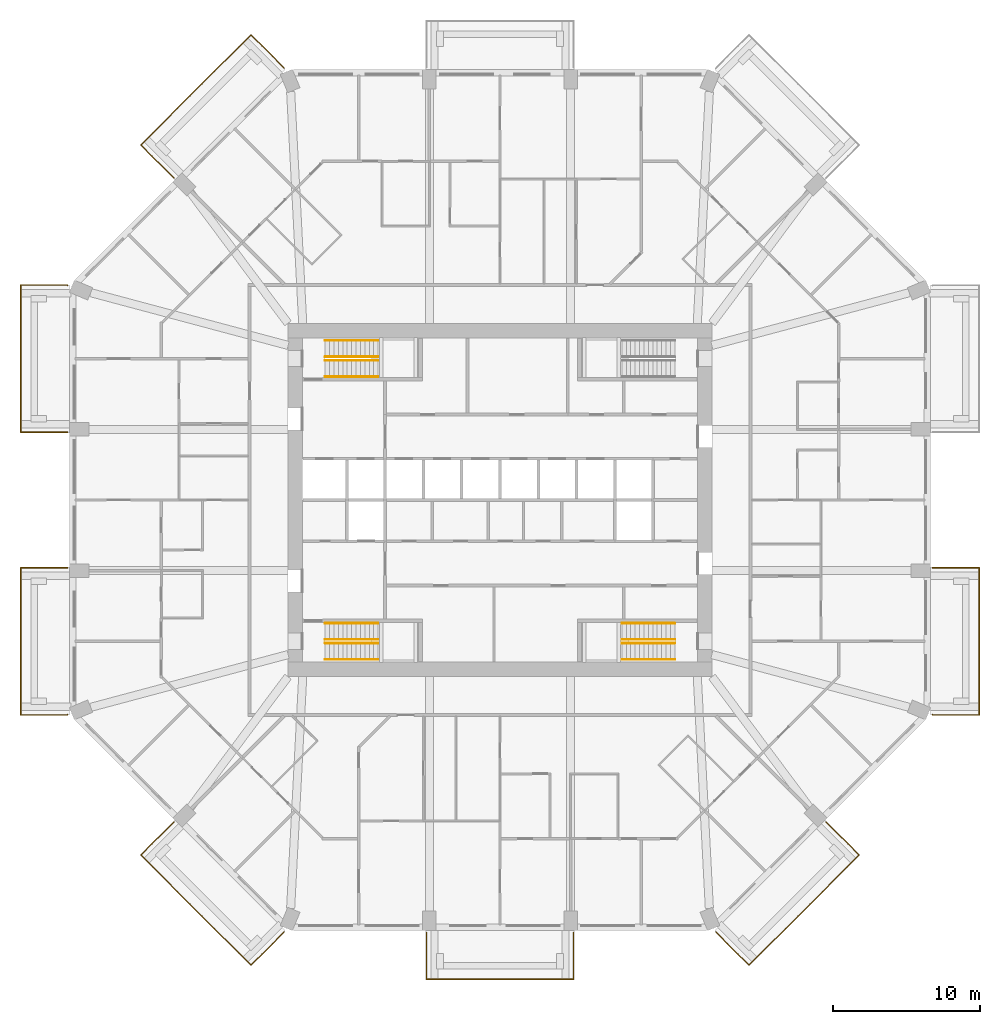
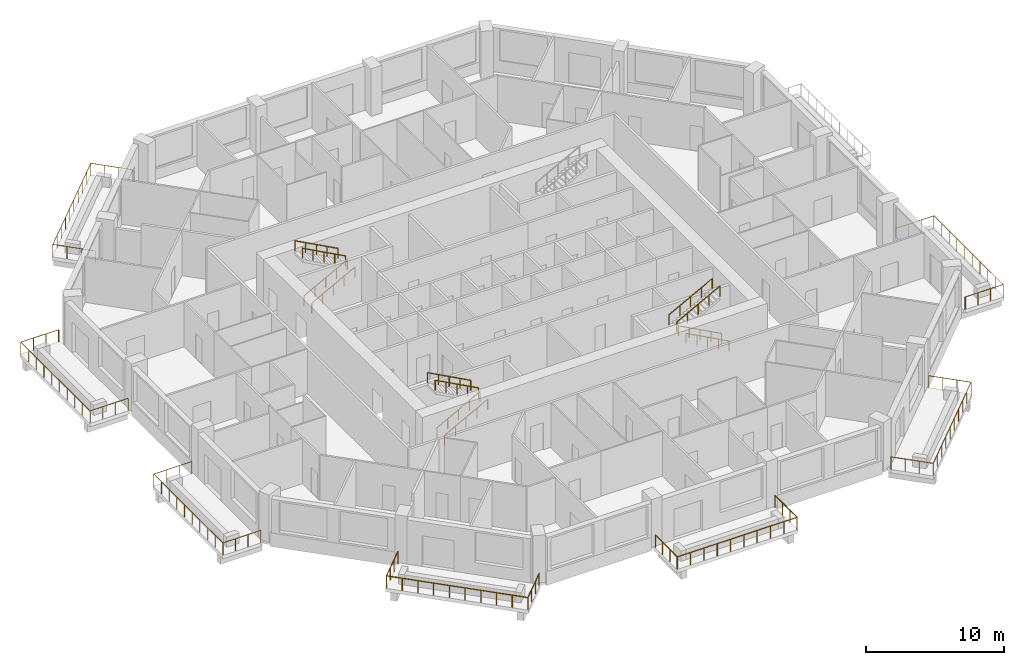
# One storey, part 12 of 13: 19 railings.
"""IFC4 building model written with IfcOpenShell, lengths in metres."""

from ifc_helpers import new_model, si_unit, direction, frame, origin, origin_2d, place, context, subcontext, project, spatial, circle, extrude, material, constituent, constituent_set, type_object, element, save


model = new_model("IFC4")

# Units and contexts
model_context = context("Model", 3, precision=1e-05, world=origin(), true_north=direction((0.0, 1.0)))
body_context = subcontext(model_context, "Body", "Model", "MODEL_VIEW")
ifc_project = project(units=[si_unit("LENGTHUNIT", "METRE"), si_unit("AREAUNIT", "SQUARE_METRE"), si_unit("VOLUMEUNIT", "CUBIC_METRE"), si_unit("PLANEANGLEUNIT", "RADIAN"), si_unit("MASSUNIT", "GRAM", prefix="KILO")], contexts=[model_context])

# Site, building, storey
site_placement = place(None, origin())
site = spatial("IfcSite", under=ifc_project, at=site_placement, CompositionType="ELEMENT")
building_placement = place(site_placement, origin())
building = spatial("IfcBuilding", under=site, at=building_placement, Name="Msitu Wima Residences", CompositionType="ELEMENT")
storey_placement = place(building_placement, frame((0.0, 0.0, 33.89990234375)))
storey = spatial("IfcBuildingStorey", under=building, at=storey_placement, Name="L07", CompositionType="ELEMENT", Elevation=33.89990234375)

# Railings
ifc_material_1 = material(Name="Steel S355", Category="steel")
ifc_constituent_1 = constituent(ifc_material_1, Name="Steel S355")
ifc_material_2 = material(Name="Weathering patina")
ifc_constituent_2 = constituent(ifc_material_2, Name="Weathering patina")
ifc_constituent_set_1 = constituent_set(constituents=[ifc_constituent_1, ifc_constituent_2], Name="Steel S355")
railing_type_1 = type_object("IfcRailingType", Name="Balcony guard GR1100", PredefinedType="GUARDRAIL", material=ifc_constituent_set_1)
railing_1_placement = place(storey_placement, frame((29.3798828125, -4.60009765625, 0.0)))
element("IfcRailing", 1, at=railing_1_placement, inside=storey, type_object=railing_type_1, Name="Balcony guard E0 L07", PredefinedType="GUARDRAIL", context=body_context, shape_type="SweptSolid", body=[
    extrude(circle(Radius=0.02392578125, at=origin_2d()), frame((0.0, 0.0, 1.076171875), z_axis=(1.0, 0.0, 0.0), x_axis=(0.0, 1.0, 0.0)), (0.0, 0.0, 1.0), 3.170166015625),
    extrude(circle(Radius=0.02392578125, at=origin_2d()), frame((3.170166015625, 0.0, 1.076171875), z_axis=(0.0, -1.0, 0.0), x_axis=(1.0, 0.0, 0.0)), (0.0, 0.0, 1.0), 10.0),
    extrude(circle(Radius=0.02392578125, at=origin_2d()), frame((3.170166015625, -10.0, 1.076171875), z_axis=(-1.0, 0.0, 0.0), x_axis=(0.0, -1.0, 0.0)), (0.0, 0.0, 1.0), 3.136474609375),
    extrude(circle(Radius=0.02392578125, at=origin_2d()), frame((0.03369140625, -10.0, 1.076171875), z_axis=(-0.92426142649, 0.38176015442, 0.0), x_axis=(-0.38176015442, -0.92426142649, 0.0)), (0.0, 0.0, 1.0), 0.036376953125),
    extrude(circle(Radius=0.02099609375, at=origin_2d()), origin(), (0.0, 0.0, 1.0), 1.052001953125),
    extrude(circle(Radius=0.02099609375, at=origin_2d()), frame((1.056640625, 0.0, 0.0)), (0.0, 0.0, 1.0), 1.052001953125),
    extrude(circle(Radius=0.02099609375, at=origin_2d()), frame((2.113525390625, 0.0, 0.0)), (0.0, 0.0, 1.0), 1.052001953125),
    extrude(circle(Radius=0.02099609375, at=origin_2d()), frame((3.170166015625, 0.0, 0.0)), (0.0, 0.0, 1.0), 1.052001953125),
    extrude(circle(Radius=0.02099609375, at=origin_2d()), frame((3.170166015625, -1.111083984375, 0.0)), (0.0, 0.0, 1.0), 1.052001953125),
    extrude(circle(Radius=0.02099609375, at=origin_2d()), frame((3.170166015625, -2.22216796875, 0.0)), (0.0, 0.0, 1.0), 1.052001953125),
    extrude(circle(Radius=0.02099609375, at=origin_2d()), frame((3.170166015625, -3.333251953125, 0.0)), (0.0, 0.0, 1.0), 1.052001953125),
    extrude(circle(Radius=0.02099609375, at=origin_2d()), frame((3.170166015625, -4.4443359375, 0.0)), (0.0, 0.0, 1.0), 1.052001953125),
    extrude(circle(Radius=0.02099609375, at=origin_2d()), frame((3.170166015625, -5.5556640625, 0.0)), (0.0, 0.0, 1.0), 1.052001953125),
    extrude(circle(Radius=0.02099609375, at=origin_2d()), frame((3.170166015625, -6.666748046875, 0.0)), (0.0, 0.0, 1.0), 1.052001953125),
    extrude(circle(Radius=0.02099609375, at=origin_2d()), frame((3.170166015625, -7.77783203125, 0.0)), (0.0, 0.0, 1.0), 1.052001953125),
    extrude(circle(Radius=0.02099609375, at=origin_2d()), frame((3.170166015625, -8.888916015625, 0.0)), (0.0, 0.0, 1.0), 1.052001953125),
    extrude(circle(Radius=0.02099609375, at=origin_2d()), frame((3.170166015625, -10.0, 0.0)), (0.0, 0.0, 1.0), 1.052001953125),
    extrude(circle(Radius=0.02099609375, at=origin_2d()), frame((2.124755859375, -10.0, 0.0)), (0.0, 0.0, 1.0), 1.052001953125),
    extrude(circle(Radius=0.02099609375, at=origin_2d()), frame((1.0791015625, -10.0, 0.0)), (0.0, 0.0, 1.0), 1.052001953125),
    extrude(circle(Radius=0.02099609375, at=origin_2d()), frame((0.03369140625, -10.0, 0.0)), (0.0, 0.0, 1.0), 1.052001953125),
    extrude(circle(Radius=0.02099609375, at=origin_2d()), frame((0.0, -9.986083984375, 0.0)), (0.0, 0.0, 1.0), 1.052001953125),
])
railing_2_placement = place(storey_placement, frame((-22.151611328125, 21.86865234375, 0.0)))
element("IfcRailing", 2, at=railing_2_placement, inside=storey, type_object=railing_type_1, Name="Balcony guard NW0 L07", PredefinedType="GUARDRAIL", context=body_context, shape_type="SweptSolid", body=[
    extrude(circle(Radius=0.02392578125, at=origin_2d()), frame((0.0, 0.0, 1.076171875), z_axis=(-0.707068272989, 0.707145287287, 0.0), x_axis=(-0.707145287287, -0.707068272989, 0.0)), (0.0, 0.0, 1.0), 3.170166015625),
    extrude(circle(Radius=0.02392578125, at=origin_2d()), frame((-2.241455078125, 2.24169921875, 1.076171875), z_axis=(0.707118316465, 0.70709524572, 0.0), x_axis=(-0.70709524572, 0.707118316465, 0.0)), (0.0, 0.0, 1.0), 10.582275390625),
    extrude(circle(Radius=0.02392578125, at=origin_2d()), frame((5.241455078125, 9.724365234375, 1.076171875), z_axis=(0.707106781187, -0.707106781187, 0.0), x_axis=(0.707106781187, 0.707106781187, 0.0)), (0.0, 0.0, 1.0), 3.136474609375),
    extrude(circle(Radius=0.02392578125, at=origin_2d()), frame((7.459228515625, 7.506591796875, 1.076171875), z_axis=(0.384136806859, -0.923276184907, 0.0), x_axis=(0.923276184907, 0.384136806859, 0.0)), (0.0, 0.0, 1.0), 0.0361328125),
    extrude(circle(Radius=0.02099609375, at=origin_2d()), origin(), (0.0, 0.0, 1.0), 1.052001953125),
    extrude(circle(Radius=0.02099609375, at=origin_2d()), frame((-0.7470703125, 0.747314453125, 0.0)), (0.0, 0.0, 1.0), 1.052001953125),
    extrude(circle(Radius=0.02099609375, at=origin_2d()), frame((-1.494384765625, 1.494384765625, 0.0)), (0.0, 0.0, 1.0), 1.052001953125),
    extrude(circle(Radius=0.02099609375, at=origin_2d()), frame((-2.241455078125, 2.24169921875, 0.0)), (0.0, 0.0, 1.0), 1.052001953125),
    extrude(circle(Radius=0.02099609375, at=origin_2d()), frame((-1.409912109375, 3.072998046875, 0.0)), (0.0, 0.0, 1.0), 1.052001953125),
    extrude(circle(Radius=0.02099609375, at=origin_2d()), frame((-0.57861328125, 3.904541015625, 0.0)), (0.0, 0.0, 1.0), 1.052001953125),
    extrude(circle(Radius=0.02099609375, at=origin_2d()), frame((0.2529296875, 4.73583984375, 0.0)), (0.0, 0.0, 1.0), 1.052001953125),
    extrude(circle(Radius=0.02099609375, at=origin_2d()), frame((1.084228515625, 5.5673828125, 0.0)), (0.0, 0.0, 1.0), 1.052001953125),
    extrude(circle(Radius=0.02099609375, at=origin_2d()), frame((1.915771484375, 6.398681640625, 0.0)), (0.0, 0.0, 1.0), 1.052001953125),
    extrude(circle(Radius=0.02099609375, at=origin_2d()), frame((2.7470703125, 7.230224609375, 0.0)), (0.0, 0.0, 1.0), 1.052001953125),
    extrude(circle(Radius=0.02099609375, at=origin_2d()), frame((3.57861328125, 8.0615234375, 0.0)), (0.0, 0.0, 1.0), 1.052001953125),
    extrude(circle(Radius=0.02099609375, at=origin_2d()), frame((4.409912109375, 8.89306640625, 0.0)), (0.0, 0.0, 1.0), 1.052001953125),
    extrude(circle(Radius=0.02099609375, at=origin_2d()), frame((5.241455078125, 9.724365234375, 0.0)), (0.0, 0.0, 1.0), 1.052001953125),
    extrude(circle(Radius=0.02099609375, at=origin_2d()), frame((5.980712890625, 8.985107421875, 0.0)), (0.0, 0.0, 1.0), 1.052001953125),
    extrude(circle(Radius=0.02099609375, at=origin_2d()), frame((6.719970703125, 8.245849609375, 0.0)), (0.0, 0.0, 1.0), 1.052001953125),
    extrude(circle(Radius=0.02099609375, at=origin_2d()), frame((7.459228515625, 7.506591796875, 0.0)), (0.0, 0.0, 1.0), 1.052001953125),
    extrude(circle(Radius=0.02099609375, at=origin_2d()), frame((7.47314453125, 7.47314453125, 0.0)), (0.0, 0.0, 1.0), 1.052001953125),
])
railing_3_placement = place(storey_placement, frame((-29.3798828125, 4.60009765625, 0.0)))
element("IfcRailing", 3, at=railing_3_placement, inside=storey, type_object=railing_type_1, Name="Balcony guard W0 L07", PredefinedType="GUARDRAIL", context=body_context, shape_type="SweptSolid", body=[
    extrude(circle(Radius=0.02392578125, at=origin_2d()), frame((0.0, 0.0, 1.076171875), z_axis=(-1.0, 0.0, 0.0), x_axis=(0.0, -1.0, 0.0)), (0.0, 0.0, 1.0), 3.170166015625),
    extrude(circle(Radius=0.02392578125, at=origin_2d()), frame((-3.170166015625, 0.0, 1.076171875), z_axis=(0.0, 1.0, 0.0), x_axis=(-1.0, 0.0, 0.0)), (0.0, 0.0, 1.0), 10.0),
    extrude(circle(Radius=0.02392578125, at=origin_2d()), frame((-3.170166015625, 10.0, 1.076171875), z_axis=(1.0, 0.0, 0.0), x_axis=(0.0, 1.0, 0.0)), (0.0, 0.0, 1.0), 3.136474609375),
    extrude(circle(Radius=0.02392578125, at=origin_2d()), frame((-0.03369140625, 10.0, 1.076171875), z_axis=(0.92426142649, -0.38176015442, 0.0), x_axis=(0.38176015442, 0.92426142649, 0.0)), (0.0, 0.0, 1.0), 0.036376953125),
    extrude(circle(Radius=0.02099609375, at=origin_2d()), origin(), (0.0, 0.0, 1.0), 1.052001953125),
    extrude(circle(Radius=0.02099609375, at=origin_2d()), frame((-1.056640625, 0.0, 0.0)), (0.0, 0.0, 1.0), 1.052001953125),
    extrude(circle(Radius=0.02099609375, at=origin_2d()), frame((-2.113525390625, 0.0, 0.0)), (0.0, 0.0, 1.0), 1.052001953125),
    extrude(circle(Radius=0.02099609375, at=origin_2d()), frame((-3.170166015625, 0.0, 0.0)), (0.0, 0.0, 1.0), 1.052001953125),
    extrude(circle(Radius=0.02099609375, at=origin_2d()), frame((-3.170166015625, 1.111083984375, 0.0)), (0.0, 0.0, 1.0), 1.052001953125),
    extrude(circle(Radius=0.02099609375, at=origin_2d()), frame((-3.170166015625, 2.22216796875, 0.0)), (0.0, 0.0, 1.0), 1.052001953125),
    extrude(circle(Radius=0.02099609375, at=origin_2d()), frame((-3.170166015625, 3.333251953125, 0.0)), (0.0, 0.0, 1.0), 1.052001953125),
    extrude(circle(Radius=0.02099609375, at=origin_2d()), frame((-3.170166015625, 4.4443359375, 0.0)), (0.0, 0.0, 1.0), 1.052001953125),
    extrude(circle(Radius=0.02099609375, at=origin_2d()), frame((-3.170166015625, 5.5556640625, 0.0)), (0.0, 0.0, 1.0), 1.052001953125),
    extrude(circle(Radius=0.02099609375, at=origin_2d()), frame((-3.170166015625, 6.666748046875, 0.0)), (0.0, 0.0, 1.0), 1.052001953125),
    extrude(circle(Radius=0.02099609375, at=origin_2d()), frame((-3.170166015625, 7.77783203125, 0.0)), (0.0, 0.0, 1.0), 1.052001953125),
    extrude(circle(Radius=0.02099609375, at=origin_2d()), frame((-3.170166015625, 8.888916015625, 0.0)), (0.0, 0.0, 1.0), 1.052001953125),
    extrude(circle(Radius=0.02099609375, at=origin_2d()), frame((-3.170166015625, 10.0, 0.0)), (0.0, 0.0, 1.0), 1.052001953125),
    extrude(circle(Radius=0.02099609375, at=origin_2d()), frame((-2.124755859375, 10.0, 0.0)), (0.0, 0.0, 1.0), 1.052001953125),
    extrude(circle(Radius=0.02099609375, at=origin_2d()), frame((-1.0791015625, 10.0, 0.0)), (0.0, 0.0, 1.0), 1.052001953125),
    extrude(circle(Radius=0.02099609375, at=origin_2d()), frame((-0.03369140625, 10.0, 0.0)), (0.0, 0.0, 1.0), 1.052001953125),
    extrude(circle(Radius=0.02099609375, at=origin_2d()), frame((0.0, 9.986083984375, 0.0)), (0.0, 0.0, 1.0), 1.052001953125),
])
railing_4_placement = place(storey_placement, frame((-29.3798828125, -14.586181640625, 0.0)))
element("IfcRailing", 4, at=railing_4_placement, inside=storey, type_object=railing_type_1, Name="Balcony guard W2 L07", PredefinedType="GUARDRAIL", context=body_context, shape_type="SweptSolid", body=[
    extrude(circle(Radius=0.02392578125, at=origin_2d()), frame((0.0, 0.0, 1.076171875), z_axis=(-0.92426142649, -0.38176015442, 0.0), x_axis=(0.38176015442, -0.92426142649, 0.0)), (0.0, 0.0, 1.0), 0.036376953125),
    extrude(circle(Radius=0.02392578125, at=origin_2d()), frame((-0.03369140625, -0.013916015625, 1.076171875), z_axis=(-1.0, 0.0, 0.0), x_axis=(0.0, -1.0, 0.0)), (0.0, 0.0, 1.0), 3.136474609375),
    extrude(circle(Radius=0.02392578125, at=origin_2d()), frame((-3.170166015625, -0.013916015625, 1.076171875), z_axis=(0.0, 1.0, 0.0), x_axis=(-1.0, 0.0, 0.0)), (0.0, 0.0, 1.0), 10.0),
    extrude(circle(Radius=0.02392578125, at=origin_2d()), frame((-3.170166015625, 9.986083984375, 1.076171875), z_axis=(1.0, 0.0, 0.0), x_axis=(0.0, 1.0, 0.0)), (0.0, 0.0, 1.0), 3.170166015625),
    extrude(circle(Radius=0.02099609375, at=origin_2d()), origin(), (0.0, 0.0, 1.0), 1.052001953125),
    extrude(circle(Radius=0.02099609375, at=origin_2d()), frame((-0.03369140625, -0.013916015625, 0.0)), (0.0, 0.0, 1.0), 1.052001953125),
    extrude(circle(Radius=0.02099609375, at=origin_2d()), frame((-1.0791015625, -0.013916015625, 0.0)), (0.0, 0.0, 1.0), 1.052001953125),
    extrude(circle(Radius=0.02099609375, at=origin_2d()), frame((-2.124755859375, -0.013916015625, 0.0)), (0.0, 0.0, 1.0), 1.052001953125),
    extrude(circle(Radius=0.02099609375, at=origin_2d()), frame((-3.170166015625, -0.013916015625, 0.0)), (0.0, 0.0, 1.0), 1.052001953125),
    extrude(circle(Radius=0.02099609375, at=origin_2d()), frame((-3.170166015625, 1.09716796875, 0.0)), (0.0, 0.0, 1.0), 1.052001953125),
    extrude(circle(Radius=0.02099609375, at=origin_2d()), frame((-3.170166015625, 2.208251953125, 0.0)), (0.0, 0.0, 1.0), 1.052001953125),
    extrude(circle(Radius=0.02099609375, at=origin_2d()), frame((-3.170166015625, 3.3193359375, 0.0)), (0.0, 0.0, 1.0), 1.052001953125),
    extrude(circle(Radius=0.02099609375, at=origin_2d()), frame((-3.170166015625, 4.430419921875, 0.0)), (0.0, 0.0, 1.0), 1.052001953125),
    extrude(circle(Radius=0.02099609375, at=origin_2d()), frame((-3.170166015625, 5.541748046875, 0.0)), (0.0, 0.0, 1.0), 1.052001953125),
    extrude(circle(Radius=0.02099609375, at=origin_2d()), frame((-3.170166015625, 6.65283203125, 0.0)), (0.0, 0.0, 1.0), 1.052001953125),
    extrude(circle(Radius=0.02099609375, at=origin_2d()), frame((-3.170166015625, 7.763916015625, 0.0)), (0.0, 0.0, 1.0), 1.052001953125),
    extrude(circle(Radius=0.02099609375, at=origin_2d()), frame((-3.170166015625, 8.875, 0.0)), (0.0, 0.0, 1.0), 1.052001953125),
    extrude(circle(Radius=0.02099609375, at=origin_2d()), frame((-3.170166015625, 9.986083984375, 0.0)), (0.0, 0.0, 1.0), 1.052001953125),
    extrude(circle(Radius=0.02099609375, at=origin_2d()), frame((-2.113525390625, 9.986083984375, 0.0)), (0.0, 0.0, 1.0), 1.052001953125),
    extrude(circle(Radius=0.02099609375, at=origin_2d()), frame((-1.056640625, 9.986083984375, 0.0)), (0.0, 0.0, 1.0), 1.052001953125),
    extrude(circle(Radius=0.02099609375, at=origin_2d()), frame((0.0, 9.986083984375, 0.0)), (0.0, 0.0, 1.0), 1.052001953125),
])
railing_5_placement = place(storey_placement, frame((-14.678466796875, -29.341796875, 0.0)))
element("IfcRailing", 5, at=railing_5_placement, inside=storey, type_object=railing_type_1, Name="Balcony guard SW1 L07", PredefinedType="GUARDRAIL", context=body_context, shape_type="SweptSolid", body=[
    extrude(circle(Radius=0.02392578125, at=origin_2d()), frame((0.0, 0.0, 1.076171875), z_axis=(-0.384136806859, -0.923276184907, 0.0), x_axis=(0.923276184907, -0.384136806859, 0.0)), (0.0, 0.0, 1.0), 0.0361328125),
    extrude(circle(Radius=0.02392578125, at=origin_2d()), frame((-0.013916015625, -0.033447265625, 1.076171875), z_axis=(-0.707106781187, -0.707106781187, 0.0), x_axis=(0.707106781187, -0.707106781187, 0.0)), (0.0, 0.0, 1.0), 3.136474609375),
    extrude(circle(Radius=0.02392578125, at=origin_2d()), frame((-2.231689453125, -2.251220703125, 1.076171875), z_axis=(-0.707118316465, 0.70709524572, 0.0), x_axis=(-0.70709524572, -0.707118316465, 0.0)), (0.0, 0.0, 1.0), 10.582275390625),
    extrude(circle(Radius=0.02392578125, at=origin_2d()), frame((-9.714599609375, 5.2314453125, 1.076171875), z_axis=(0.707068272989, 0.707145287287, 0.0), x_axis=(-0.707145287287, 0.707068272989, 0.0)), (0.0, 0.0, 1.0), 3.170166015625),
    extrude(circle(Radius=0.02099609375, at=origin_2d()), origin(), (0.0, 0.0, 1.0), 1.052001953125),
    extrude(circle(Radius=0.02099609375, at=origin_2d()), frame((-0.013916015625, -0.033447265625, 0.0)), (0.0, 0.0, 1.0), 1.052001953125),
    extrude(circle(Radius=0.02099609375, at=origin_2d()), frame((-0.753173828125, -0.772705078125, 0.0)), (0.0, 0.0, 1.0), 1.052001953125),
    extrude(circle(Radius=0.02099609375, at=origin_2d()), frame((-1.492431640625, -1.511962890625, 0.0)), (0.0, 0.0, 1.0), 1.052001953125),
    extrude(circle(Radius=0.02099609375, at=origin_2d()), frame((-2.231689453125, -2.251220703125, 0.0)), (0.0, 0.0, 1.0), 1.052001953125),
    extrude(circle(Radius=0.02099609375, at=origin_2d()), frame((-3.063232421875, -1.419921875, 0.0)), (0.0, 0.0, 1.0), 1.052001953125),
    extrude(circle(Radius=0.02099609375, at=origin_2d()), frame((-3.89453125, -0.58837890625, 0.0)), (0.0, 0.0, 1.0), 1.052001953125),
    extrude(circle(Radius=0.02099609375, at=origin_2d()), frame((-4.72607421875, 0.242919921875, 0.0)), (0.0, 0.0, 1.0), 1.052001953125),
    extrude(circle(Radius=0.02099609375, at=origin_2d()), frame((-5.557373046875, 1.074462890625, 0.0)), (0.0, 0.0, 1.0), 1.052001953125),
    extrude(circle(Radius=0.02099609375, at=origin_2d()), frame((-6.388916015625, 1.90576171875, 0.0)), (0.0, 0.0, 1.0), 1.052001953125),
    extrude(circle(Radius=0.02099609375, at=origin_2d()), frame((-7.22021484375, 2.7373046875, 0.0)), (0.0, 0.0, 1.0), 1.052001953125),
    extrude(circle(Radius=0.02099609375, at=origin_2d()), frame((-8.0517578125, 3.568603515625, 0.0)), (0.0, 0.0, 1.0), 1.052001953125),
    extrude(circle(Radius=0.02099609375, at=origin_2d()), frame((-8.883056640625, 4.400146484375, 0.0)), (0.0, 0.0, 1.0), 1.052001953125),
    extrude(circle(Radius=0.02099609375, at=origin_2d()), frame((-9.714599609375, 5.2314453125, 0.0)), (0.0, 0.0, 1.0), 1.052001953125),
    extrude(circle(Radius=0.02099609375, at=origin_2d()), frame((-8.967529296875, 5.978759765625, 0.0)), (0.0, 0.0, 1.0), 1.052001953125),
    extrude(circle(Radius=0.02099609375, at=origin_2d()), frame((-8.22021484375, 6.725830078125, 0.0)), (0.0, 0.0, 1.0), 1.052001953125),
    extrude(circle(Radius=0.02099609375, at=origin_2d()), frame((-7.47314453125, 7.47314453125, 0.0)), (0.0, 0.0, 1.0), 1.052001953125),
])
railing_6_placement = place(storey_placement, frame((5.0, -29.3798828125, 0.0)))
element("IfcRailing", 6, at=railing_6_placement, inside=storey, type_object=railing_type_1, Name="Balcony guard S1 L07", PredefinedType="GUARDRAIL", context=body_context, shape_type="SweptSolid", body=[
    extrude(circle(Radius=0.02392578125, at=origin_2d()), frame((0.0, 0.0, 1.076171875), z_axis=(0.0, -1.0, 0.0), x_axis=(1.0, 0.0, 0.0)), (0.0, 0.0, 1.0), 3.170166015625),
    extrude(circle(Radius=0.02392578125, at=origin_2d()), frame((0.0, -3.170166015625, 1.076171875), z_axis=(-1.0, 0.0, 0.0), x_axis=(0.0, -1.0, 0.0)), (0.0, 0.0, 1.0), 10.0),
    extrude(circle(Radius=0.02392578125, at=origin_2d()), frame((-10.0, -3.170166015625, 1.076171875), z_axis=(0.0, 1.0, 0.0), x_axis=(-1.0, 0.0, 0.0)), (0.0, 0.0, 1.0), 3.170166015625),
    extrude(circle(Radius=0.02099609375, at=origin_2d()), origin(), (0.0, 0.0, 1.0), 1.052001953125),
    extrude(circle(Radius=0.02099609375, at=origin_2d()), frame((0.0, -1.056640625, 0.0)), (0.0, 0.0, 1.0), 1.052001953125),
    extrude(circle(Radius=0.02099609375, at=origin_2d()), frame((0.0, -2.113525390625, 0.0)), (0.0, 0.0, 1.0), 1.052001953125),
    extrude(circle(Radius=0.02099609375, at=origin_2d()), frame((0.0, -3.170166015625, 0.0)), (0.0, 0.0, 1.0), 1.052001953125),
    extrude(circle(Radius=0.02099609375, at=origin_2d()), frame((-1.111083984375, -3.170166015625, 0.0)), (0.0, 0.0, 1.0), 1.052001953125),
    extrude(circle(Radius=0.02099609375, at=origin_2d()), frame((-2.22216796875, -3.170166015625, 0.0)), (0.0, 0.0, 1.0), 1.052001953125),
    extrude(circle(Radius=0.02099609375, at=origin_2d()), frame((-3.333251953125, -3.170166015625, 0.0)), (0.0, 0.0, 1.0), 1.052001953125),
    extrude(circle(Radius=0.02099609375, at=origin_2d()), frame((-4.4443359375, -3.170166015625, 0.0)), (0.0, 0.0, 1.0), 1.052001953125),
    extrude(circle(Radius=0.02099609375, at=origin_2d()), frame((-5.5556640625, -3.170166015625, 0.0)), (0.0, 0.0, 1.0), 1.052001953125),
    extrude(circle(Radius=0.02099609375, at=origin_2d()), frame((-6.666748046875, -3.170166015625, 0.0)), (0.0, 0.0, 1.0), 1.052001953125),
    extrude(circle(Radius=0.02099609375, at=origin_2d()), frame((-7.77783203125, -3.170166015625, 0.0)), (0.0, 0.0, 1.0), 1.052001953125),
    extrude(circle(Radius=0.02099609375, at=origin_2d()), frame((-8.888916015625, -3.170166015625, 0.0)), (0.0, 0.0, 1.0), 1.052001953125),
    extrude(circle(Radius=0.02099609375, at=origin_2d()), frame((-10.0, -3.170166015625, 0.0)), (0.0, 0.0, 1.0), 1.052001953125),
    extrude(circle(Radius=0.02099609375, at=origin_2d()), frame((-10.0, -2.113525390625, 0.0)), (0.0, 0.0, 1.0), 1.052001953125),
    extrude(circle(Radius=0.02099609375, at=origin_2d()), frame((-10.0, -1.056640625, 0.0)), (0.0, 0.0, 1.0), 1.052001953125),
    extrude(circle(Radius=0.02099609375, at=origin_2d()), frame((-10.0, 0.0, 0.0)), (0.0, 0.0, 1.0), 1.052001953125),
])
railing_7_placement = place(storey_placement, frame((22.151611328125, -21.86865234375, 0.0)))
element("IfcRailing", 7, at=railing_7_placement, inside=storey, type_object=railing_type_1, Name="Balcony guard SE0 L07", PredefinedType="GUARDRAIL", context=body_context, shape_type="SweptSolid", body=[
    extrude(circle(Radius=0.02392578125, at=origin_2d()), frame((0.0, 0.0, 1.076171875), z_axis=(0.707068272989, -0.707145287287, 0.0), x_axis=(0.707145287287, 0.707068272989, 0.0)), (0.0, 0.0, 1.0), 3.170166015625),
    extrude(circle(Radius=0.02392578125, at=origin_2d()), frame((2.241455078125, -2.24169921875, 1.076171875), z_axis=(-0.707118316465, -0.70709524572, 0.0), x_axis=(0.70709524572, -0.707118316465, 0.0)), (0.0, 0.0, 1.0), 10.582275390625),
    extrude(circle(Radius=0.02392578125, at=origin_2d()), frame((-5.241455078125, -9.724365234375, 1.076171875), z_axis=(-0.707106781187, 0.707106781187, 0.0), x_axis=(-0.707106781187, -0.707106781187, 0.0)), (0.0, 0.0, 1.0), 3.136474609375),
    extrude(circle(Radius=0.02392578125, at=origin_2d()), frame((-7.459228515625, -7.506591796875, 1.076171875), z_axis=(-0.384136806859, 0.923276184907, 0.0), x_axis=(-0.923276184907, -0.384136806859, 0.0)), (0.0, 0.0, 1.0), 0.0361328125),
    extrude(circle(Radius=0.02099609375, at=origin_2d()), origin(), (0.0, 0.0, 1.0), 1.052001953125),
    extrude(circle(Radius=0.02099609375, at=origin_2d()), frame((0.7470703125, -0.747314453125, 0.0)), (0.0, 0.0, 1.0), 1.052001953125),
    extrude(circle(Radius=0.02099609375, at=origin_2d()), frame((1.494384765625, -1.494384765625, 0.0)), (0.0, 0.0, 1.0), 1.052001953125),
    extrude(circle(Radius=0.02099609375, at=origin_2d()), frame((2.241455078125, -2.24169921875, 0.0)), (0.0, 0.0, 1.0), 1.052001953125),
    extrude(circle(Radius=0.02099609375, at=origin_2d()), frame((1.409912109375, -3.072998046875, 0.0)), (0.0, 0.0, 1.0), 1.052001953125),
    extrude(circle(Radius=0.02099609375, at=origin_2d()), frame((0.57861328125, -3.904541015625, 0.0)), (0.0, 0.0, 1.0), 1.052001953125),
    extrude(circle(Radius=0.02099609375, at=origin_2d()), frame((-0.2529296875, -4.73583984375, 0.0)), (0.0, 0.0, 1.0), 1.052001953125),
    extrude(circle(Radius=0.02099609375, at=origin_2d()), frame((-1.084228515625, -5.5673828125, 0.0)), (0.0, 0.0, 1.0), 1.052001953125),
    extrude(circle(Radius=0.02099609375, at=origin_2d()), frame((-1.915771484375, -6.398681640625, 0.0)), (0.0, 0.0, 1.0), 1.052001953125),
    extrude(circle(Radius=0.02099609375, at=origin_2d()), frame((-2.7470703125, -7.230224609375, 0.0)), (0.0, 0.0, 1.0), 1.052001953125),
    extrude(circle(Radius=0.02099609375, at=origin_2d()), frame((-3.57861328125, -8.0615234375, 0.0)), (0.0, 0.0, 1.0), 1.052001953125),
    extrude(circle(Radius=0.02099609375, at=origin_2d()), frame((-4.409912109375, -8.89306640625, 0.0)), (0.0, 0.0, 1.0), 1.052001953125),
    extrude(circle(Radius=0.02099609375, at=origin_2d()), frame((-5.241455078125, -9.724365234375, 0.0)), (0.0, 0.0, 1.0), 1.052001953125),
    extrude(circle(Radius=0.02099609375, at=origin_2d()), frame((-5.980712890625, -8.985107421875, 0.0)), (0.0, 0.0, 1.0), 1.052001953125),
    extrude(circle(Radius=0.02099609375, at=origin_2d()), frame((-6.719970703125, -8.245849609375, 0.0)), (0.0, 0.0, 1.0), 1.052001953125),
    extrude(circle(Radius=0.02099609375, at=origin_2d()), frame((-7.459228515625, -7.506591796875, 0.0)), (0.0, 0.0, 1.0), 1.052001953125),
    extrude(circle(Radius=0.02099609375, at=origin_2d()), frame((-7.47314453125, -7.47314453125, 0.0)), (0.0, 0.0, 1.0), 1.052001953125),
])
ifc_constituent_3 = constituent(ifc_material_1, Name="Steel S355")
ifc_material_3 = material(Name="Black powder coating")
ifc_constituent_4 = constituent(ifc_material_3, Name="Black powder coating")
ifc_constituent_set_2 = constituent_set(constituents=[ifc_constituent_3, ifc_constituent_4], Name="Steel S355")
railing_type_2 = type_object("IfcRailingType", Name="Stair handrail HR1", PredefinedType="HANDRAIL", material=ifc_constituent_set_2)
for number, where, name in (
    (8, (-11.875, 8.375, 0.16162109375), "Stair 1 handrail"),
    (9, (-11.875, 9.47509765625, 0.16162109375), "Stair 1 handrail"),
):
    element("IfcRailing", number, at=place(storey_placement, frame(where)), inside=storey, type_object=railing_type_2, Name=name, PredefinedType="HANDRAIL", context=body_context, shape_type="SweptSolid", body=[
        extrude(circle(Radius=0.02392578125, at=origin_2d()), frame((0.0, 0.0, 0.8759765625), z_axis=(0.880474934443, 0.0, 0.474092701714), x_axis=(0.0, 1.0, 0.0)), (0.0, 0.0, 1.0), 4.0888671875),
        extrude(circle(Radius=0.02099609375, at=origin_2d()), origin(), (0.0, 0.0, 1.0), 0.851806640625),
        extrude(circle(Radius=0.02099609375, at=origin_2d()), frame((0.89990234375, 0.0, 0.484619140625)), (0.0, 0.0, 1.0), 0.851806640625),
        extrude(circle(Radius=0.02099609375, at=origin_2d()), frame((1.800048828125, 0.0, 0.96923828125)), (0.0, 0.0, 1.0), 0.851806640625),
        extrude(circle(Radius=0.02099609375, at=origin_2d()), frame((2.7001953125, 0.0, 1.453857421875)), (0.0, 0.0, 1.0), 0.851806640625),
        extrude(circle(Radius=0.02099609375, at=origin_2d()), frame((3.60009765625, 0.0, 1.9384765625)), (0.0, 0.0, 1.0), 0.851806640625),
    ])
for number, where, name in (
    (10, (-8.27490234375, 9.72509765625, 2.26171875), "Stair 1 handrail"),
    (11, (-8.27490234375, 10.824951171875, 2.26171875), "Stair 1 handrail"),
):
    element("IfcRailing", number, at=place(storey_placement, frame(where)), inside=storey, type_object=railing_type_2, Name=name, PredefinedType="HANDRAIL", context=body_context, shape_type="SweptSolid", body=[
        extrude(circle(Radius=0.02392578125, at=origin_2d()), frame((0.0, 0.0, 0.8759765625), z_axis=(-0.880474934443, 0.0, 0.474092701714), x_axis=(0.0, -1.0, 0.0)), (0.0, 0.0, 1.0), 4.0888671875),
        extrude(circle(Radius=0.02099609375, at=origin_2d()), origin(), (0.0, 0.0, 1.0), 0.851806640625),
        extrude(circle(Radius=0.02099609375, at=origin_2d()), frame((-0.89990234375, 0.0, 0.484619140625)), (0.0, 0.0, 1.0), 0.851806640625),
        extrude(circle(Radius=0.02099609375, at=origin_2d()), frame((-1.800048828125, 0.0, 0.96923828125)), (0.0, 0.0, 1.0), 0.851806640625),
        extrude(circle(Radius=0.02099609375, at=origin_2d()), frame((-2.7001953125, 0.0, 1.453857421875)), (0.0, 0.0, 1.0), 0.851806640625),
        extrude(circle(Radius=0.02099609375, at=origin_2d()), frame((-3.60009765625, 0.0, 1.9384765625)), (0.0, 0.0, 1.0), 0.851806640625),
    ])
for number, where, name in (
    (12, (-11.875, -10.824951171875, 0.16162109375), "Stair 2 handrail"),
    (13, (-11.875, -9.72509765625, 0.16162109375), "Stair 2 handrail"),
):
    element("IfcRailing", number, at=place(storey_placement, frame(where)), inside=storey, type_object=railing_type_2, Name=name, PredefinedType="HANDRAIL", context=body_context, shape_type="SweptSolid", body=[
        extrude(circle(Radius=0.02392578125, at=origin_2d()), frame((0.0, 0.0, 0.8759765625), z_axis=(0.880474934443, 0.0, 0.474092701714), x_axis=(0.0, 1.0, 0.0)), (0.0, 0.0, 1.0), 4.0888671875),
        extrude(circle(Radius=0.02099609375, at=origin_2d()), origin(), (0.0, 0.0, 1.0), 0.851806640625),
        extrude(circle(Radius=0.02099609375, at=origin_2d()), frame((0.89990234375, 0.0, 0.484619140625)), (0.0, 0.0, 1.0), 0.851806640625),
        extrude(circle(Radius=0.02099609375, at=origin_2d()), frame((1.800048828125, 0.0, 0.96923828125)), (0.0, 0.0, 1.0), 0.851806640625),
        extrude(circle(Radius=0.02099609375, at=origin_2d()), frame((2.7001953125, 0.0, 1.453857421875)), (0.0, 0.0, 1.0), 0.851806640625),
        extrude(circle(Radius=0.02099609375, at=origin_2d()), frame((3.60009765625, 0.0, 1.9384765625)), (0.0, 0.0, 1.0), 0.851806640625),
    ])
for number, where, name in (
    (14, (-8.27490234375, -9.47509765625, 2.26171875), "Stair 2 handrail"),
    (15, (-8.27490234375, -8.375, 2.26171875), "Stair 2 handrail"),
    (16, (11.875, -10.824951171875, 0.16162109375), "Stair 4 handrail"),
    (17, (11.875, -9.72509765625, 0.16162109375), "Stair 4 handrail"),
):
    element("IfcRailing", number, at=place(storey_placement, frame(where)), inside=storey, type_object=railing_type_2, Name=name, PredefinedType="HANDRAIL", context=body_context, shape_type="SweptSolid", body=[
        extrude(circle(Radius=0.02392578125, at=origin_2d()), frame((0.0, 0.0, 0.8759765625), z_axis=(-0.880474934443, 0.0, 0.474092701714), x_axis=(0.0, -1.0, 0.0)), (0.0, 0.0, 1.0), 4.0888671875),
        extrude(circle(Radius=0.02099609375, at=origin_2d()), origin(), (0.0, 0.0, 1.0), 0.851806640625),
        extrude(circle(Radius=0.02099609375, at=origin_2d()), frame((-0.89990234375, 0.0, 0.484619140625)), (0.0, 0.0, 1.0), 0.851806640625),
        extrude(circle(Radius=0.02099609375, at=origin_2d()), frame((-1.800048828125, 0.0, 0.96923828125)), (0.0, 0.0, 1.0), 0.851806640625),
        extrude(circle(Radius=0.02099609375, at=origin_2d()), frame((-2.7001953125, 0.0, 1.453857421875)), (0.0, 0.0, 1.0), 0.851806640625),
        extrude(circle(Radius=0.02099609375, at=origin_2d()), frame((-3.60009765625, 0.0, 1.9384765625)), (0.0, 0.0, 1.0), 0.851806640625),
    ])
for number, where, name in (
    (18, (8.27490234375, -9.47509765625, 2.26171875), "Stair 4 handrail"),
    (19, (8.27490234375, -8.375, 2.26171875), "Stair 4 handrail"),
):
    element("IfcRailing", number, at=place(storey_placement, frame(where)), inside=storey, type_object=railing_type_2, Name=name, PredefinedType="HANDRAIL", context=body_context, shape_type="SweptSolid", body=[
        extrude(circle(Radius=0.02392578125, at=origin_2d()), frame((0.0, 0.0, 0.8759765625), z_axis=(0.880474934443, 0.0, 0.474092701714), x_axis=(0.0, 1.0, 0.0)), (0.0, 0.0, 1.0), 4.0888671875),
        extrude(circle(Radius=0.02099609375, at=origin_2d()), origin(), (0.0, 0.0, 1.0), 0.851806640625),
        extrude(circle(Radius=0.02099609375, at=origin_2d()), frame((0.89990234375, 0.0, 0.484619140625)), (0.0, 0.0, 1.0), 0.851806640625),
        extrude(circle(Radius=0.02099609375, at=origin_2d()), frame((1.800048828125, 0.0, 0.96923828125)), (0.0, 0.0, 1.0), 0.851806640625),
        extrude(circle(Radius=0.02099609375, at=origin_2d()), frame((2.7001953125, 0.0, 1.453857421875)), (0.0, 0.0, 1.0), 0.851806640625),
        extrude(circle(Radius=0.02099609375, at=origin_2d()), frame((3.60009765625, 0.0, 1.9384765625)), (0.0, 0.0, 1.0), 0.851806640625),
    ])

save(model, "model.ifc")
